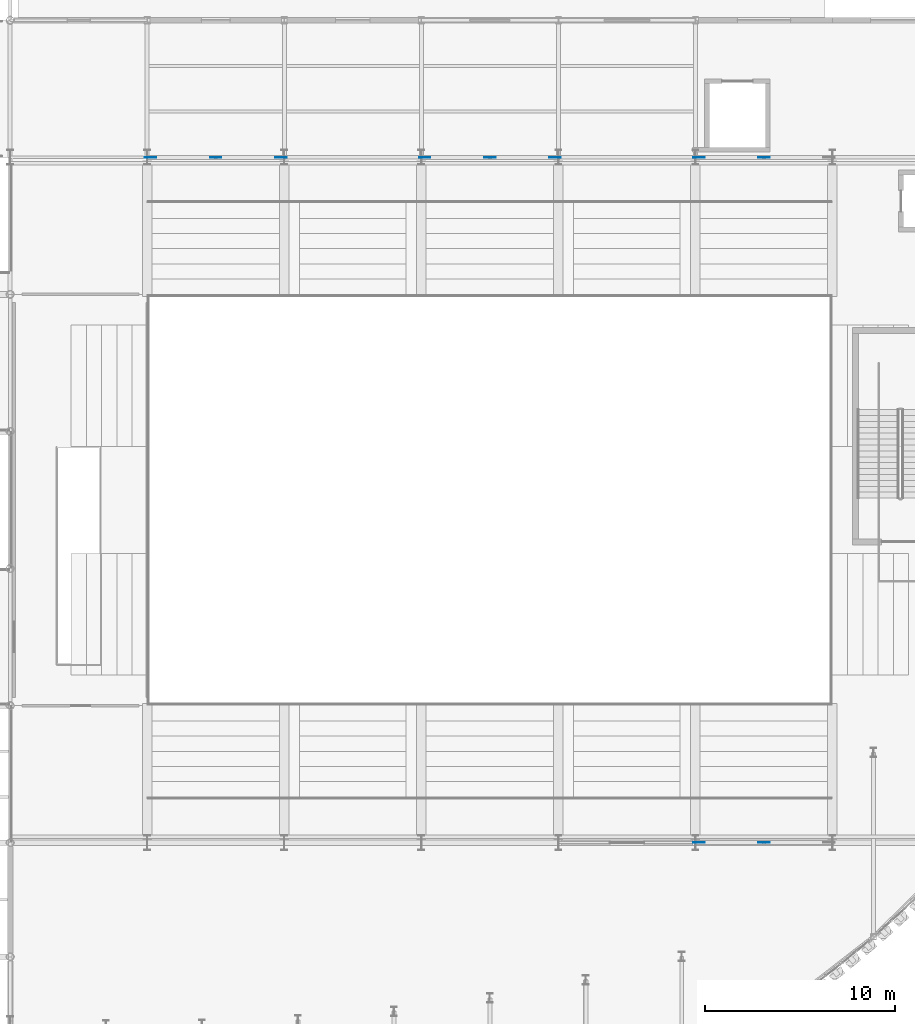
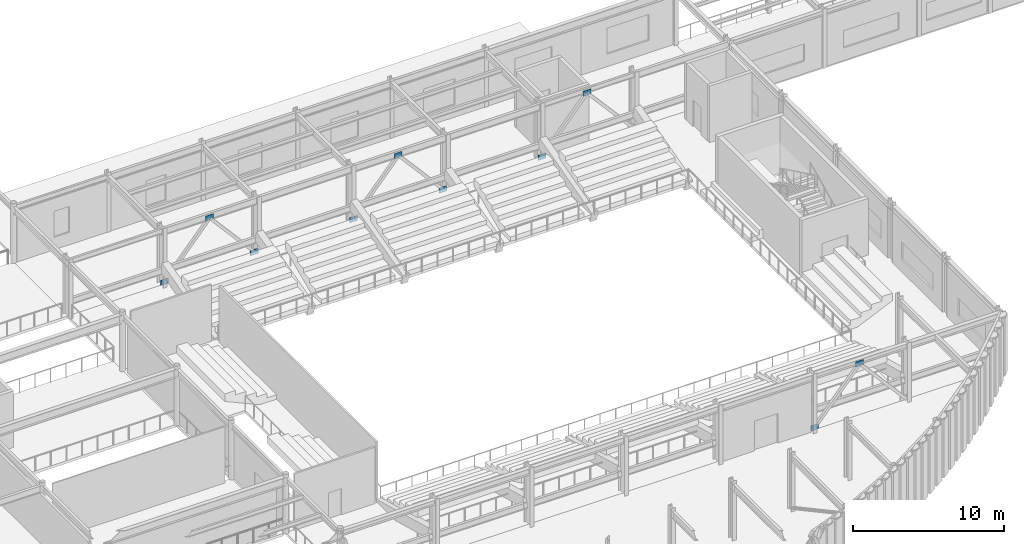
# One storey, part 91 of 121: 10 plates.
"""IFC4 building model written with IfcOpenShell, lengths in metres."""

import ifcopenshell
import ifcopenshell.guid

model = None  # the IFC model being written
_history = None  # IfcOwnerHistory: only IFC2X3 demands one
_inside = {}  # id of a spatial element -> (the spatial element, [elements in it])
_under = {}  # id of a project, library or spatial element -> (it, [spatial elements below it])
_declared = {}  # id of a project -> (the project, [libraries it declares])
_typed = {}  # id of a type object -> (the type object, [elements of that type])
_made_of = {}  # id of a material, layer set ... -> (it, [elements and type objects made of it])


def new_model(schema):
    """Start an empty IFC model of exactly this schema.

    Asked for "IFC4X3", IfcOpenShell would pick the latest addendum, in which some entities
    have other attributes; the version numbers below select the first issue.
    IFC2X3 requires an IfcOwnerHistory on every rooted entity: one is made here for all.
    """
    global model, _history
    if schema == "IFC4X3":
        model = ifcopenshell.file(schema_version=(4, 3, 0, 0))
    else:
        model = ifcopenshell.file(schema=schema)
    _inside.clear()
    _under.clear()
    _declared.clear()
    _typed.clear()
    _made_of.clear()
    _history = None
    if model.schema == "IFC2X3":
        org = make("IfcOrganization", Name="unknown")
        user = make(
            "IfcPersonAndOrganization",
            ThePerson=make("IfcPerson", FamilyName="unknown"),
            TheOrganization=org,
        )
        app = make(
            "IfcApplication",
            ApplicationDeveloper=org,
            Version="unknown",
            ApplicationFullName="unknown",
            ApplicationIdentifier="unknown",
        )
        _history = make(
            "IfcOwnerHistory",
            OwningUser=user,
            OwningApplication=app,
            ChangeAction="ADDED",
            CreationDate=0,
        )
    return model


def make(cls, **values):
    """One entity of the class cls with the attributes given. An attribute that is None is left unset."""
    return model.create_entity(
        cls, **{name: value for name, value in values.items() if value is not None}
    )


def rooted(cls, **values):
    """An entity with a GlobalId (a new one), such as an element, a storey or a relation."""
    return make(cls, GlobalId=ifcopenshell.guid.new(), OwnerHistory=_history, **values)


def si_unit(unit_type, name, prefix=None):
    """IfcSIUnit, for example si_unit("LENGTHUNIT", "METRE", prefix="MILLI")."""
    return make("IfcSIUnit", UnitType=unit_type, Prefix=prefix, Name=name)


def assignment(units):
    """IfcUnitAssignment: the units of a project."""
    return None if units is None else make("IfcUnitAssignment", Units=units)


def point(xyz):
    """IfcCartesianPoint."""
    return None if xyz is None else make("IfcCartesianPoint", Coordinates=xyz)


def direction(xyz):
    """IfcDirection."""
    return None if xyz is None else make("IfcDirection", DirectionRatios=xyz)


def frame(location, z_axis=None, x_axis=None):
    """IfcAxis2Placement3D, a coordinate frame: its origin and axes. An axis left out is left unset."""
    return make(
        "IfcAxis2Placement3D",
        Location=point(location),
        Axis=direction(z_axis),
        RefDirection=direction(x_axis),
    )


def frame_2d(location, x_axis=None):
    """IfcAxis2Placement2D, a coordinate frame in the plane: its origin and x axis."""
    return make(
        "IfcAxis2Placement2D", Location=point(location), RefDirection=direction(x_axis)
    )


def origin():
    """The frame at (0, 0, 0) with its axes left unset."""
    return frame((0.0, 0.0, 0.0))


def origin_2d():
    """The frame at (0, 0) in the plane with its x axis left unset."""
    return frame_2d((0.0, 0.0))


def place(relative_to, where):
    """IfcLocalPlacement: puts the frame where relative to a parent placement (None: the world)."""
    return make(
        "IfcLocalPlacement", PlacementRelTo=relative_to, RelativePlacement=where
    )


def context(
    kind, dimensions, precision=None, world=None, true_north=None, identifier=None
):
    """IfcGeometricRepresentationContext, for example the 3D "Model" context."""
    return make(
        "IfcGeometricRepresentationContext",
        ContextIdentifier=identifier,
        ContextType=kind,
        CoordinateSpaceDimension=dimensions,
        Precision=precision,
        WorldCoordinateSystem=world,
        TrueNorth=true_north,
    )


def subcontext(parent, identifier, kind, view, scale=None):
    """IfcGeometricRepresentationSubContext, for example "Body" below "Model"."""
    return make(
        "IfcGeometricRepresentationSubContext",
        ContextIdentifier=identifier,
        ContextType=kind,
        ParentContext=parent,
        TargetScale=scale,
        TargetView=view,
    )


def project(units=None, contexts=None):
    """IfcProject with its units and contexts."""
    return rooted(
        "IfcProject",
        Name="project",
        RepresentationContexts=contexts,
        UnitsInContext=assignment(units),
    )


def spatial(cls, under=None, at=None, **own):
    """A site, building, storey or space (cls), placed at a placement, below another one or the project."""
    s = rooted(cls, ObjectPlacement=at, **own)
    if under is not None:
        _under.setdefault(under.id(), (under, []))[1].append(s)
    return s


def profile(cls, at=None, kind="AREA", **sizes):
    """A parametric profile (cls). Its sizes go by their IFC names, for example OverallWidth=200.0."""
    return make(cls, ProfileType=kind, Position=at, **sizes)


def rectangle(**sizes):
    """IfcRectangleProfileDef."""
    return profile("IfcRectangleProfileDef", **sizes)


def extrude(swept, where, along, depth):
    """IfcExtrudedAreaSolid: the profile swept, set in the frame where, extruded along a direction by depth."""
    return make(
        "IfcExtrudedAreaSolid",
        SweptArea=swept,
        Position=where,
        ExtrudedDirection=direction(along),
        Depth=depth,
    )


def shape(context_of_items, identifier, shape_type, items):
    """IfcShapeRepresentation: the items that make up one representation, for example the "Body"."""
    return make(
        "IfcShapeRepresentation",
        ContextOfItems=context_of_items,
        RepresentationIdentifier=identifier,
        RepresentationType=shape_type,
        Items=items,
    )


def material(Name=None, Category=None):
    """IfcMaterial."""
    return make("IfcMaterial", Name=Name, Category=Category)


def layer(
    of_material, thickness, ventilated=None, Name=None, Category=None, Priority=None
):
    """IfcMaterialLayer: one layer of a wall or slab, of a material (None: an air gap)."""
    return make(
        "IfcMaterialLayer",
        Material=of_material,
        LayerThickness=thickness,
        IsVentilated=ventilated,
        Name=Name,
        Category=Category,
        Priority=Priority,
    )


def layer_set(layers, Name=None):
    """IfcMaterialLayerSet."""
    return make("IfcMaterialLayerSet", MaterialLayers=layers, LayerSetName=Name)


def made_of(thing, what):
    """Note that an element or type object is made of a material, layer set ...; save() writes the relation."""
    if what is not None:
        _made_of.setdefault(what.id(), (what, []))[1].append(thing)
    return thing


def type_object(cls, material=None, **own):
    """A type object (cls), such as IfcWallType, which elements share."""
    return made_of(rooted(cls, **own), material)


def element(
    cls,
    number,
    at=None,
    inside=None,
    cuts=None,
    type_object=None,
    material=None,
    context=None,
    identifier="Body",
    shape_type=None,
    held_by="IfcProductDefinitionShape",
    body=None,
    shapes=None,
    **own,
):
    """One element of the class cls, such as IfcWall. Its Tag is "e" and its number.

    at: its placement. inside: the storey or other place that contains it. cuts: it is an
    opening in that element (IfcRelVoidsElement). A single representation is given by context,
    identifier, shape_type and body (its items); several are given by shapes. held_by: the class
    of the entity that holds the representations. save() writes the other relations.
    """
    e = rooted(cls, Tag="e%d" % number, ObjectPlacement=at, **own)
    if body is not None:
        shapes = [shape(context, identifier, shape_type, body)]
    if shapes is not None:
        e.Representation = make(held_by, Representations=shapes)
    if inside is not None:
        _inside.setdefault(inside.id(), (inside, []))[1].append(e)
    if cuts is not None:
        rooted(
            "IfcRelVoidsElement", RelatingBuildingElement=cuts, RelatedOpeningElement=e
        )
    if type_object is not None:
        _typed.setdefault(type_object.id(), (type_object, []))[1].append(e)
    return made_of(e, material)


def aggregate(whole, parts):
    """IfcRelAggregates: a whole, such as a stair, and the parts it consists of."""
    return rooted("IfcRelAggregates", RelatingObject=whole, RelatedObjects=parts)


def save(model, path):
    """Write the relations noted so far, then the file.

    IfcRelAggregates (storeys below a building ...), IfcRelContainedInSpatialStructure (elements
    in a storey), IfcRelDefinesByType, IfcRelAssociatesMaterial and IfcRelDeclares: one each for
    every whole, place, type object, material and project.
    """
    for whole, parts in _under.values():
        aggregate(whole, parts)
    for where, things in _inside.values():
        rooted(
            "IfcRelContainedInSpatialStructure",
            RelatedElements=things,
            RelatingStructure=where,
        )
    for kind, things in _typed.values():
        rooted("IfcRelDefinesByType", RelatedObjects=things, RelatingType=kind)
    for what, things in _made_of.values():
        rooted("IfcRelAssociatesMaterial", RelatedObjects=things, RelatingMaterial=what)
    for by, libraries in _declared.values():
        rooted("IfcRelDeclares", RelatingContext=by, RelatedDefinitions=libraries)
    model.write(path)


model = new_model("IFC4")

# Units and contexts
model_context = context("Model", 3, precision=1e-05, world=origin(), true_north=direction((0.0, 1.0)))
body_context = subcontext(model_context, "Body", "Model", "MODEL_VIEW")
ifc_project = project(units=[si_unit("LENGTHUNIT", "METRE"), si_unit("AREAUNIT", "SQUARE_METRE"), si_unit("VOLUMEUNIT", "CUBIC_METRE"), si_unit("PLANEANGLEUNIT", "RADIAN"), si_unit("MASSUNIT", "GRAM", prefix="KILO")], contexts=[model_context])

# Site, building, storey
site_placement = place(None, origin())
site = spatial("IfcSite", under=ifc_project, at=site_placement, CompositionType="ELEMENT")
building_placement = place(site_placement, origin())
building = spatial("IfcBuilding", under=site, at=building_placement, Name="Solvadek Multi-Sports Hall", CompositionType="ELEMENT")
storey_placement = place(building_placement, frame((0.0, 0.0, 4.800048828125)))
storey = spatial("IfcBuildingStorey", under=building, at=storey_placement, Name="L01", CompositionType="ELEMENT", Elevation=4.800048828125)

# Plates
ifc_material = material(Name="Steel E350 (350 MPa)", Category="steel")
ifc_layer = layer(ifc_material, 0.02392578125, Name="Steel E350 (350 MPa)")
ifc_layer_set = layer_set([ifc_layer], Name="Steel E350 (350 MPa)")
plate_type = type_object("IfcPlateType", Name="STR-PLT-GUS600", PredefinedType="USERDEFINED", material=ifc_layer_set)
for number, where, z_axis, x_axis, name in (
    (1, (108.179931640625, 42.0, -0.030029296875), (0.0, 0.0, 1.0), (1.0, 0.0, 0.0), "L01 Chevron Brace Gusset Plate #275"),
    (2, (115.02001953125, 42.0, -0.030029296875), (0.0, 0.0, 1.0), (1.0, 0.0, 0.0), "L01 Chevron Brace Gusset Plate #276"),
    (3, (111.60009765625, 42.0, 3.93994140625), (0.0, 0.0, 1.0), (1.0, 0.0, 0.0), "L01 Chevron Brace Gusset Plate #277"),
    (4, (122.580078125, 6.0, -0.030029296875), (0.0, 0.0, 1.0), (1.0, 0.0, 0.0), "L01 Chevron Brace Gusset Plate #278"),
    (5, (126.0, 6.0, 3.93994140625), (0.0, 0.0, 1.0), (1.0, 0.0, 0.0), "L01 Chevron Brace Gusset Plate #280"),
    (6, (93.780029296875, 42.0, -0.030029296875), (0.0, 0.0, 1.0), (1.0, 0.0, 0.0), "L01 Chevron Brace Gusset Plate #281"),
    (7, (100.6201171875, 42.0, -0.030029296875), (0.0, 0.0, 1.0), (1.0, 0.0, 0.0), "L01 Chevron Brace Gusset Plate #282"),
    (8, (97.199951171875, 42.0, 3.93994140625), (0.0, 0.0, 1.0), (1.0, 0.0, 0.0), "L01 Chevron Brace Gusset Plate #283"),
    (9, (122.580078125, 42.0, -0.030029296875), (0.0, 0.0, 1.0), (1.0, 0.0, 0.0), "L01 Chevron Brace Gusset Plate #284"),
    (10, (126.0, 42.0, 3.93994140625), (0.0, 0.0, 1.0), (1.0, 0.0, 0.0), "L01 Chevron Brace Gusset Plate #286"),
):
    element("IfcPlate", number, at=place(storey_placement, frame(where, z_axis=z_axis, x_axis=x_axis)), inside=storey, type_object=plate_type, Name=name, ObjectType="GUSSET_PLATE", PredefinedType="USERDEFINED", context=body_context, shape_type="SweptSolid", body=[
        extrude(rectangle(XDim=0.60009765625, YDim=0.02392578125, at=origin_2d()), origin(), (0.0, 0.0, 1.0), 0.419921875),
    ])

save(model, "model.ifc")
